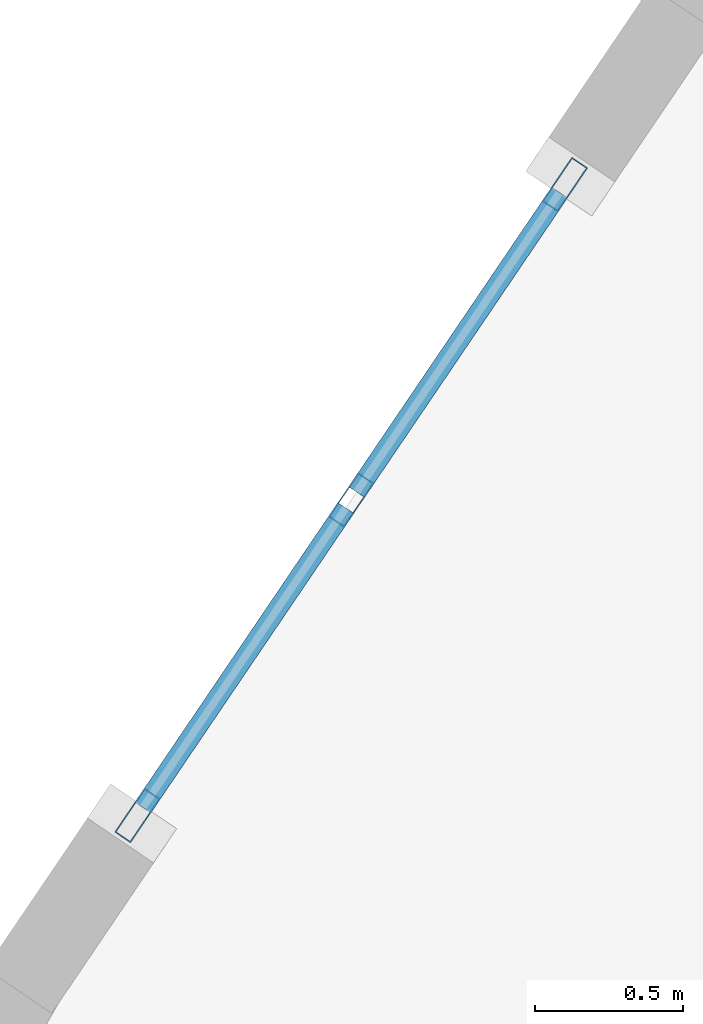
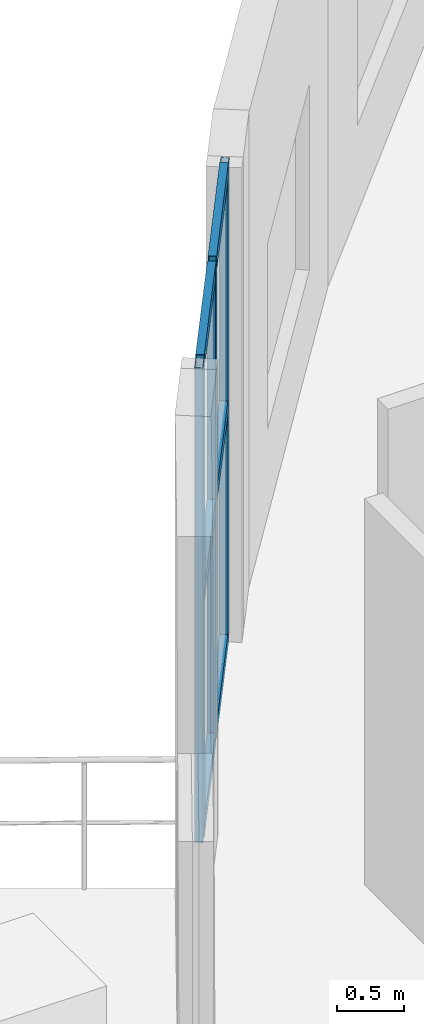
# One storey, part 6 of 14: 9 members, 1 element without a shape of its own.
"""IFC4 building model written with IfcOpenShell, lengths in metres."""

from ifc_helpers import new_model, si_unit, direction, frame, origin, origin_2d, place, context, subcontext, project, spatial, hollow_rectangle, extrude, material, layer, layer_set, material_profile, profile_set, type_object, element, aggregate, save


model = new_model("IFC4")

# Units and contexts
model_context = context("Model", 3, precision=1e-05, world=origin(), true_north=direction((0.0, 1.0)))
body_context = subcontext(model_context, "Body", "Model", "MODEL_VIEW")
ifc_project = project(units=[si_unit("LENGTHUNIT", "METRE"), si_unit("AREAUNIT", "SQUARE_METRE"), si_unit("VOLUMEUNIT", "CUBIC_METRE"), si_unit("PLANEANGLEUNIT", "RADIAN"), si_unit("MASSUNIT", "GRAM", prefix="KILO")], contexts=[model_context])

# Site, building, storey
site_placement = place(None, origin())
site = spatial("IfcSite", under=ifc_project, at=site_placement, CompositionType="ELEMENT")
building_placement = place(site_placement, origin())
building = spatial("IfcBuilding", under=site, at=building_placement, Name="Miruveldt Soraemaru", CompositionType="ELEMENT")
storey_placement = place(building_placement, frame((0.0, 0.0, 189.800048828125)))
storey = spatial("IfcBuildingStorey", under=building, at=storey_placement, Name="L52", CompositionType="ELEMENT", Elevation=189.800048828125)

# Curtain wall, members
ifc_material = material(Name="Anodised aluminium EN AW-6063 T6", Category="aluminium")
ifc_layer = layer(ifc_material, 0.179931640625, Name="Anodised aluminium EN AW-6063 T6", Category="aluminium")
ifc_layer_set = layer_set([ifc_layer], Name="Anodised aluminium EN AW-6063 T6")
curtain_wall_type = type_object("IfcCurtainWallType", Name="CW-SYS-4", PredefinedType="USERDEFINED", material=ifc_layer_set)
curtain_wall_placement = place(storey_placement, origin())
curtain_wall = element("IfcCurtainWall", 1, at=curtain_wall_placement, inside=storey, type_object=curtain_wall_type, Name="L52 Curtain Wall Bay 9", ObjectType="UNITISED GLAZING", PredefinedType="USERDEFINED")
ifc_material_profile_1 = material_profile(ifc_material, hollow_rectangle(XDim=0.06494140625, YDim=0.179931640625, WallThickness=0.00390625, at=origin_2d()), Name="Anodised aluminium EN AW-6063 T6", Category="aluminium")
ifc_profile_set_1 = profile_set([ifc_material_profile_1], Name="Anodised aluminium EN AW-6063 T6")
member_type_1 = type_object("IfcMemberType", Name="CWM-4", PredefinedType="MULLION", material=ifc_profile_set_1)
member_1_placement = place(storey_placement, frame((34.017822265625, 57.9091796875, 0.0), z_axis=(0.0, 0.0, 1.0), x_axis=(0.827910765031, -0.560859844476, 0.0)))
member_1 = element("IfcMember", 2, at=member_1_placement, type_object=member_type_1, Name="CW-4 mullion 1", PredefinedType="MULLION", context=body_context, shape_type="SweptSolid", body=[
    extrude(hollow_rectangle(XDim=0.06494140625, YDim=0.179931640625, WallThickness=0.00390625, at=origin_2d()), origin(), (0.0, 0.0, 1.0), 4.344970703125),
])
member_2_placement = place(storey_placement, frame((33.294189453125, 56.8408203125, 0.0), z_axis=(0.0, 0.0, 1.0), x_axis=(0.827910765031, -0.560859844476, 0.0)))
member_2 = element("IfcMember", 3, at=member_2_placement, type_object=member_type_1, Name="CW-4 mullion 2", PredefinedType="MULLION", context=body_context, shape_type="SweptSolid", body=[
    extrude(hollow_rectangle(XDim=0.06494140625, YDim=0.179931640625, WallThickness=0.00390625, at=origin_2d()), origin(), (0.0, 0.0, 1.0), 4.344970703125),
])
member_3_placement = place(storey_placement, frame((32.5703125, 55.7724609375, 0.0), z_axis=(0.0, 0.0, 1.0), x_axis=(0.827910765031, -0.560859844476, 0.0)))
member_3 = element("IfcMember", 4, at=member_3_placement, type_object=member_type_1, Name="CW-4 mullion 3", PredefinedType="MULLION", context=body_context, shape_type="SweptSolid", body=[
    extrude(hollow_rectangle(XDim=0.06494140625, YDim=0.179931640625, WallThickness=0.00390625, at=origin_2d()), origin(), (0.0, 0.0, 1.0), 4.344970703125),
])
ifc_material_profile_2 = material_profile(ifc_material, hollow_rectangle(XDim=0.06494140625, YDim=0.139892578125, WallThickness=0.00390625, at=origin_2d()), Name="Anodised aluminium EN AW-6063 T6", Category="aluminium")
ifc_profile_set_2 = profile_set([ifc_material_profile_2], Name="Anodised aluminium EN AW-6063 T6")
member_type_2 = type_object("IfcMemberType", Name="CWT-4", PredefinedType="USERDEFINED", material=ifc_profile_set_2)
member_4_placement = place(storey_placement, frame((33.999755859375, 57.88232421875, 0.032470703125), z_axis=(-0.560936231571, -0.827859012219, 0.0), x_axis=(0.827859012219, -0.560936231571, 0.0)))
member_4 = element("IfcMember", 5, at=member_4_placement, type_object=member_type_2, Name="CW-4 transom 1.1", ObjectType="TRANSOM", PredefinedType="USERDEFINED", context=body_context, shape_type="SweptSolid", body=[
    extrude(hollow_rectangle(XDim=0.06494140625, YDim=0.139892578125, WallThickness=0.00390625, at=origin_2d()), origin(), (0.0, 0.0, 1.0), 1.2255859375),
])
member_5_placement = place(storey_placement, frame((33.999755859375, 57.88232421875, 2.17236328125), z_axis=(-0.560936231571, -0.827859012219, 0.0), x_axis=(0.827859012219, -0.560936231571, 0.0)))
member_5 = element("IfcMember", 6, at=member_5_placement, type_object=member_type_2, Name="CW-4 transom 1.2", ObjectType="TRANSOM", PredefinedType="USERDEFINED", context=body_context, shape_type="SweptSolid", body=[
    extrude(hollow_rectangle(XDim=0.06494140625, YDim=0.139892578125, WallThickness=0.00390625, at=origin_2d()), origin(), (0.0, 0.0, 1.0), 1.2255859375),
])
member_6_placement = place(storey_placement, frame((33.999755859375, 57.88232421875, 4.3125), z_axis=(-0.560936231571, -0.827859012219, 0.0), x_axis=(0.827859012219, -0.560936231571, 0.0)))
member_6 = element("IfcMember", 7, at=member_6_placement, type_object=member_type_2, Name="CW-4 transom 1.3", ObjectType="TRANSOM", PredefinedType="USERDEFINED", context=body_context, shape_type="SweptSolid", body=[
    extrude(hollow_rectangle(XDim=0.06494140625, YDim=0.139892578125, WallThickness=0.00390625, at=origin_2d()), origin(), (0.0, 0.0, 1.0), 1.2255859375),
])
member_7_placement = place(storey_placement, frame((33.27587890625, 56.81396484375, 0.032470703125), z_axis=(-0.560799689529, -0.827951513209, 0.0), x_axis=(0.827951513209, -0.560799689529, 0.0)))
member_7 = element("IfcMember", 8, at=member_7_placement, type_object=member_type_2, Name="CW-4 transom 2.1", ObjectType="TRANSOM", PredefinedType="USERDEFINED", context=body_context, shape_type="SweptSolid", body=[
    extrude(hollow_rectangle(XDim=0.06494140625, YDim=0.139892578125, WallThickness=0.00390625, at=origin_2d()), origin(), (0.0, 0.0, 1.0), 1.2255859375),
])
member_8_placement = place(storey_placement, frame((33.27587890625, 56.81396484375, 2.17236328125), z_axis=(-0.560799689529, -0.827951513209, 0.0), x_axis=(0.827951513209, -0.560799689529, 0.0)))
member_8 = element("IfcMember", 9, at=member_8_placement, type_object=member_type_2, Name="CW-4 transom 2.2", ObjectType="TRANSOM", PredefinedType="USERDEFINED", context=body_context, shape_type="SweptSolid", body=[
    extrude(hollow_rectangle(XDim=0.06494140625, YDim=0.139892578125, WallThickness=0.00390625, at=origin_2d()), origin(), (0.0, 0.0, 1.0), 1.2255859375),
])
member_9_placement = place(storey_placement, frame((33.27587890625, 56.81396484375, 4.3125), z_axis=(-0.560799689529, -0.827951513209, 0.0), x_axis=(0.827951513209, -0.560799689529, 0.0)))
member_9 = element("IfcMember", 10, at=member_9_placement, type_object=member_type_2, Name="CW-4 transom 2.3", ObjectType="TRANSOM", PredefinedType="USERDEFINED", context=body_context, shape_type="SweptSolid", body=[
    extrude(hollow_rectangle(XDim=0.06494140625, YDim=0.139892578125, WallThickness=0.00390625, at=origin_2d()), origin(), (0.0, 0.0, 1.0), 1.2255859375),
])
aggregate(curtain_wall, [member_1, member_2, member_3, member_4, member_5, member_6, member_7, member_8, member_9])

save(model, "model.ifc")
